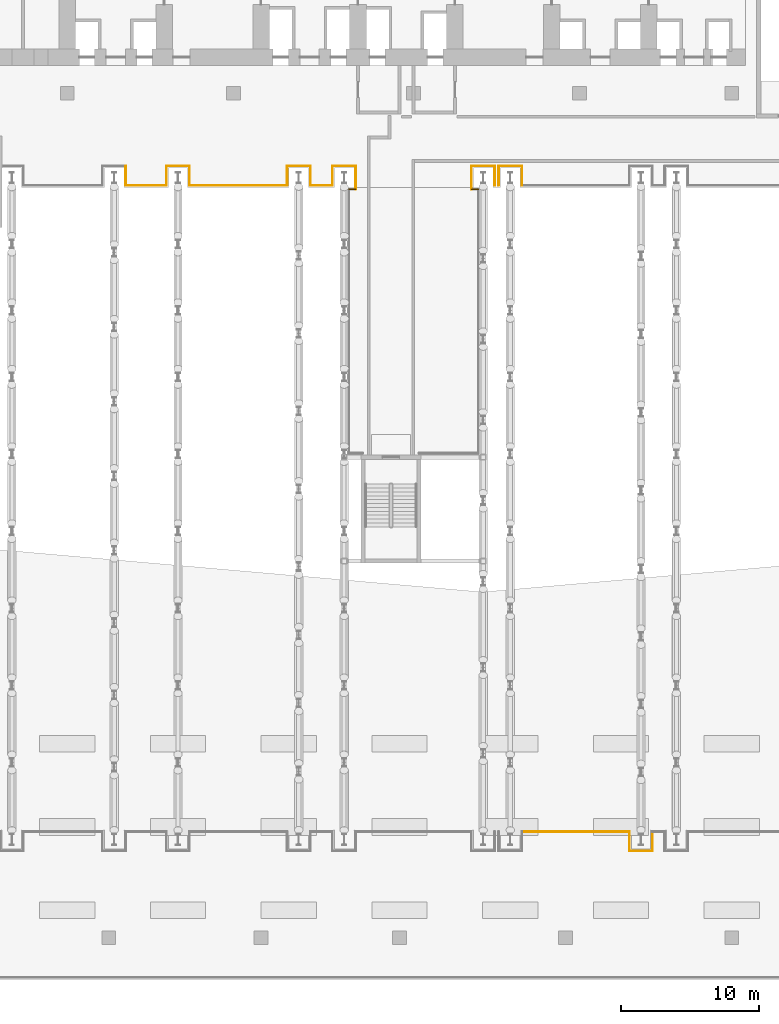
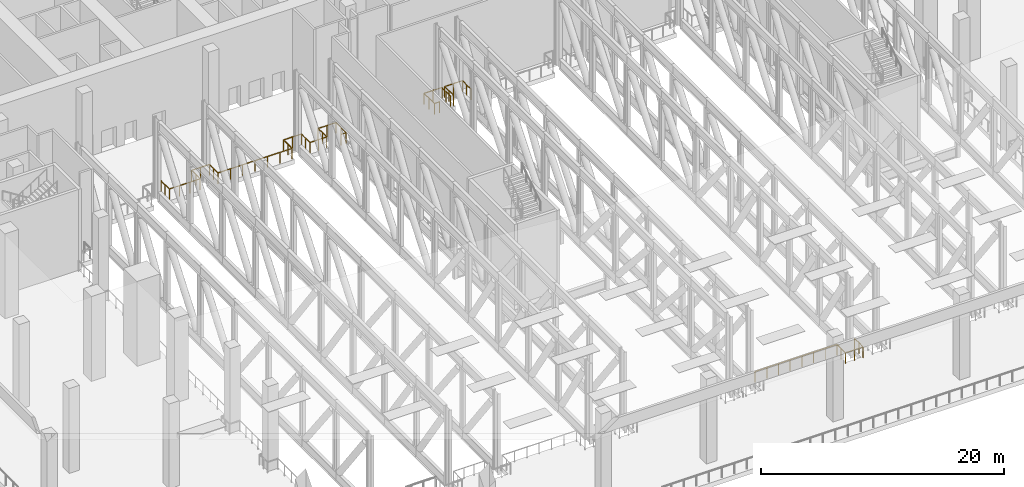
# One storey, part 25 of 33: 25 railings.
"""IFC4 building model written with IfcOpenShell, lengths in metres."""

import ifcopenshell
import ifcopenshell.guid

model = None  # the IFC model being written
_history = None  # IfcOwnerHistory: only IFC2X3 demands one
_inside = {}  # id of a spatial element -> (the spatial element, [elements in it])
_under = {}  # id of a project, library or spatial element -> (it, [spatial elements below it])
_declared = {}  # id of a project -> (the project, [libraries it declares])
_typed = {}  # id of a type object -> (the type object, [elements of that type])
_made_of = {}  # id of a material, layer set ... -> (it, [elements and type objects made of it])


def new_model(schema):
    """Start an empty IFC model of exactly this schema.

    Asked for "IFC4X3", IfcOpenShell would pick the latest addendum, in which some entities
    have other attributes; the version numbers below select the first issue.
    IFC2X3 requires an IfcOwnerHistory on every rooted entity: one is made here for all.
    """
    global model, _history
    if schema == "IFC4X3":
        model = ifcopenshell.file(schema_version=(4, 3, 0, 0))
    else:
        model = ifcopenshell.file(schema=schema)
    _inside.clear()
    _under.clear()
    _declared.clear()
    _typed.clear()
    _made_of.clear()
    _history = None
    if model.schema == "IFC2X3":
        org = make("IfcOrganization", Name="unknown")
        user = make(
            "IfcPersonAndOrganization",
            ThePerson=make("IfcPerson", FamilyName="unknown"),
            TheOrganization=org,
        )
        app = make(
            "IfcApplication",
            ApplicationDeveloper=org,
            Version="unknown",
            ApplicationFullName="unknown",
            ApplicationIdentifier="unknown",
        )
        _history = make(
            "IfcOwnerHistory",
            OwningUser=user,
            OwningApplication=app,
            ChangeAction="ADDED",
            CreationDate=0,
        )
    return model


def make(cls, **values):
    """One entity of the class cls with the attributes given. An attribute that is None is left unset."""
    return model.create_entity(
        cls, **{name: value for name, value in values.items() if value is not None}
    )


def rooted(cls, **values):
    """An entity with a GlobalId (a new one), such as an element, a storey or a relation."""
    return make(cls, GlobalId=ifcopenshell.guid.new(), OwnerHistory=_history, **values)


def si_unit(unit_type, name, prefix=None):
    """IfcSIUnit, for example si_unit("LENGTHUNIT", "METRE", prefix="MILLI")."""
    return make("IfcSIUnit", UnitType=unit_type, Prefix=prefix, Name=name)


def assignment(units):
    """IfcUnitAssignment: the units of a project."""
    return None if units is None else make("IfcUnitAssignment", Units=units)


def point(xyz):
    """IfcCartesianPoint."""
    return None if xyz is None else make("IfcCartesianPoint", Coordinates=xyz)


def direction(xyz):
    """IfcDirection."""
    return None if xyz is None else make("IfcDirection", DirectionRatios=xyz)


def frame(location, z_axis=None, x_axis=None):
    """IfcAxis2Placement3D, a coordinate frame: its origin and axes. An axis left out is left unset."""
    return make(
        "IfcAxis2Placement3D",
        Location=point(location),
        Axis=direction(z_axis),
        RefDirection=direction(x_axis),
    )


def frame_2d(location, x_axis=None):
    """IfcAxis2Placement2D, a coordinate frame in the plane: its origin and x axis."""
    return make(
        "IfcAxis2Placement2D", Location=point(location), RefDirection=direction(x_axis)
    )


def origin():
    """The frame at (0, 0, 0) with its axes left unset."""
    return frame((0.0, 0.0, 0.0))


def origin_2d():
    """The frame at (0, 0) in the plane with its x axis left unset."""
    return frame_2d((0.0, 0.0))


def place(relative_to, where):
    """IfcLocalPlacement: puts the frame where relative to a parent placement (None: the world)."""
    return make(
        "IfcLocalPlacement", PlacementRelTo=relative_to, RelativePlacement=where
    )


def context(
    kind, dimensions, precision=None, world=None, true_north=None, identifier=None
):
    """IfcGeometricRepresentationContext, for example the 3D "Model" context."""
    return make(
        "IfcGeometricRepresentationContext",
        ContextIdentifier=identifier,
        ContextType=kind,
        CoordinateSpaceDimension=dimensions,
        Precision=precision,
        WorldCoordinateSystem=world,
        TrueNorth=true_north,
    )


def subcontext(parent, identifier, kind, view, scale=None):
    """IfcGeometricRepresentationSubContext, for example "Body" below "Model"."""
    return make(
        "IfcGeometricRepresentationSubContext",
        ContextIdentifier=identifier,
        ContextType=kind,
        ParentContext=parent,
        TargetScale=scale,
        TargetView=view,
    )


def project(units=None, contexts=None):
    """IfcProject with its units and contexts."""
    return rooted(
        "IfcProject",
        Name="project",
        RepresentationContexts=contexts,
        UnitsInContext=assignment(units),
    )


def spatial(cls, under=None, at=None, **own):
    """A site, building, storey or space (cls), placed at a placement, below another one or the project."""
    s = rooted(cls, ObjectPlacement=at, **own)
    if under is not None:
        _under.setdefault(under.id(), (under, []))[1].append(s)
    return s


def profile(cls, at=None, kind="AREA", **sizes):
    """A parametric profile (cls). Its sizes go by their IFC names, for example OverallWidth=200.0."""
    return make(cls, ProfileType=kind, Position=at, **sizes)


def circle(**sizes):
    """IfcCircleProfileDef."""
    return profile("IfcCircleProfileDef", **sizes)


def extrude(swept, where, along, depth):
    """IfcExtrudedAreaSolid: the profile swept, set in the frame where, extruded along a direction by depth."""
    return make(
        "IfcExtrudedAreaSolid",
        SweptArea=swept,
        Position=where,
        ExtrudedDirection=direction(along),
        Depth=depth,
    )


def shape(context_of_items, identifier, shape_type, items):
    """IfcShapeRepresentation: the items that make up one representation, for example the "Body"."""
    return make(
        "IfcShapeRepresentation",
        ContextOfItems=context_of_items,
        RepresentationIdentifier=identifier,
        RepresentationType=shape_type,
        Items=items,
    )


def material(Name=None, Category=None):
    """IfcMaterial."""
    return make("IfcMaterial", Name=Name, Category=Category)


def made_of(thing, what):
    """Note that an element or type object is made of a material, layer set ...; save() writes the relation."""
    if what is not None:
        _made_of.setdefault(what.id(), (what, []))[1].append(thing)
    return thing


def type_object(cls, material=None, **own):
    """A type object (cls), such as IfcWallType, which elements share."""
    return made_of(rooted(cls, **own), material)


def element(
    cls,
    number,
    at=None,
    inside=None,
    cuts=None,
    type_object=None,
    material=None,
    context=None,
    identifier="Body",
    shape_type=None,
    held_by="IfcProductDefinitionShape",
    body=None,
    shapes=None,
    **own,
):
    """One element of the class cls, such as IfcWall. Its Tag is "e" and its number.

    at: its placement. inside: the storey or other place that contains it. cuts: it is an
    opening in that element (IfcRelVoidsElement). A single representation is given by context,
    identifier, shape_type and body (its items); several are given by shapes. held_by: the class
    of the entity that holds the representations. save() writes the other relations.
    """
    e = rooted(cls, Tag="e%d" % number, ObjectPlacement=at, **own)
    if body is not None:
        shapes = [shape(context, identifier, shape_type, body)]
    if shapes is not None:
        e.Representation = make(held_by, Representations=shapes)
    if inside is not None:
        _inside.setdefault(inside.id(), (inside, []))[1].append(e)
    if cuts is not None:
        rooted(
            "IfcRelVoidsElement", RelatingBuildingElement=cuts, RelatedOpeningElement=e
        )
    if type_object is not None:
        _typed.setdefault(type_object.id(), (type_object, []))[1].append(e)
    return made_of(e, material)


def aggregate(whole, parts):
    """IfcRelAggregates: a whole, such as a stair, and the parts it consists of."""
    return rooted("IfcRelAggregates", RelatingObject=whole, RelatedObjects=parts)


def save(model, path):
    """Write the relations noted so far, then the file.

    IfcRelAggregates (storeys below a building ...), IfcRelContainedInSpatialStructure (elements
    in a storey), IfcRelDefinesByType, IfcRelAssociatesMaterial and IfcRelDeclares: one each for
    every whole, place, type object, material and project.
    """
    for whole, parts in _under.values():
        aggregate(whole, parts)
    for where, things in _inside.values():
        rooted(
            "IfcRelContainedInSpatialStructure",
            RelatedElements=things,
            RelatingStructure=where,
        )
    for kind, things in _typed.values():
        rooted("IfcRelDefinesByType", RelatedObjects=things, RelatingType=kind)
    for what, things in _made_of.values():
        rooted("IfcRelAssociatesMaterial", RelatedObjects=things, RelatingMaterial=what)
    for by, libraries in _declared.values():
        rooted("IfcRelDeclares", RelatingContext=by, RelatedDefinitions=libraries)
    model.write(path)


model = new_model("IFC4")

# Units and contexts
model_context = context("Model", 3, precision=1e-05, world=origin(), true_north=direction((0.0, 1.0)))
body_context = subcontext(model_context, "Body", "Model", "MODEL_VIEW")
ifc_project = project(units=[si_unit("LENGTHUNIT", "METRE"), si_unit("AREAUNIT", "SQUARE_METRE"), si_unit("VOLUMEUNIT", "CUBIC_METRE"), si_unit("PLANEANGLEUNIT", "RADIAN"), si_unit("MASSUNIT", "GRAM", prefix="KILO")], contexts=[model_context])

# Site, building, storey
site_placement = place(None, origin())
site = spatial("IfcSite", under=ifc_project, at=site_placement, CompositionType="ELEMENT")
building_placement = place(site_placement, origin())
building = spatial("IfcBuilding", under=site, at=building_placement, Name="Wharfspan Tower", CompositionType="ELEMENT")
storey_placement = place(building_placement, frame((0.0, 0.0, 33.0)))
storey = spatial("IfcBuildingStorey", under=building, at=storey_placement, Name="L05", CompositionType="ELEMENT", Elevation=33.0)

# Railings
ifc_material = material(Name="Steel S355J2", Category="steel")
railing_type = type_object("IfcRailingType", Name="GUARD 1100 STEEL AND GLASS", PredefinedType="GUARDRAIL", material=ifc_material)
railing_1_placement = place(storey_placement, frame((48.840088, -21.340088, 0.0)))
element("IfcRailing", 1, at=railing_1_placement, inside=storey, type_object=railing_type, Name="Guard on the deck edge", PredefinedType="GUARDRAIL", context=body_context, shape_type="SweptSolid", body=[
    extrude(circle(Radius=0.024902, at=origin_2d()), frame((0.0, 0.0, 1.075195), z_axis=(1.0, 0.0, 0.0), x_axis=(0.0, 1.0, 0.0)), (0.0, 0.0, 1.0), 7.761963),
    extrude(circle(Radius=0.02002, at=origin_2d()), origin(), (0.0, 0.0, 1.0), 1.050049),
    extrude(circle(Radius=0.02002, at=origin_2d()), frame((1.108887, 0.0, 0.0)), (0.0, 0.0, 1.0), 1.050049),
    extrude(circle(Radius=0.02002, at=origin_2d()), frame((2.217773, 0.0, 0.0)), (0.0, 0.0, 1.0), 1.050049),
    extrude(circle(Radius=0.02002, at=origin_2d()), frame((3.32666, 0.0, 0.0)), (0.0, 0.0, 1.0), 1.050049),
    extrude(circle(Radius=0.02002, at=origin_2d()), frame((4.435303, 0.0, 0.0)), (0.0, 0.0, 1.0), 1.050049),
    extrude(circle(Radius=0.02002, at=origin_2d()), frame((5.544189, 0.0, 0.0)), (0.0, 0.0, 1.0), 1.050049),
    extrude(circle(Radius=0.02002, at=origin_2d()), frame((6.653076, 0.0, 0.0)), (0.0, 0.0, 1.0), 1.050049),
    extrude(circle(Radius=0.02002, at=origin_2d()), frame((7.761963, 0.0, 0.0)), (0.0, 0.0, 1.0), 1.050049),
])
railing_2_placement = place(storey_placement, frame((56.602051, -21.340088, 0.0)))
element("IfcRailing", 2, at=railing_2_placement, inside=storey, type_object=railing_type, Name="Guard on the deck edge", PredefinedType="GUARDRAIL", context=body_context, shape_type="SweptSolid", body=[
    extrude(circle(Radius=0.024902, at=origin_2d()), frame((0.0, 0.0, 1.075195), z_axis=(0.0, -1.0, 0.0), x_axis=(1.0, 0.0, 0.0)), (0.0, 0.0, 1.0), 1.399902),
    extrude(circle(Radius=0.02002, at=origin_2d()), origin(), (0.0, 0.0, 1.0), 1.050049),
    extrude(circle(Radius=0.02002, at=origin_2d()), frame((0.0, -0.699951, 0.0)), (0.0, 0.0, 1.0), 1.050049),
    extrude(circle(Radius=0.02002, at=origin_2d()), frame((0.0, -1.399902, 0.0)), (0.0, 0.0, 1.0), 1.050049),
])
railing_3_placement = place(storey_placement, frame((56.602051, -22.73999, 0.0)))
element("IfcRailing", 3, at=railing_3_placement, inside=storey, type_object=railing_type, Name="Guard on the deck edge", PredefinedType="GUARDRAIL", context=body_context, shape_type="SweptSolid", body=[
    extrude(circle(Radius=0.024902, at=origin_2d()), frame((0.0, 0.0, 1.075195), z_axis=(1.0, 0.0, 0.0), x_axis=(0.0, 1.0, 0.0)), (0.0, 0.0, 1.0), 1.679932),
    extrude(circle(Radius=0.02002, at=origin_2d()), origin(), (0.0, 0.0, 1.0), 1.050049),
    extrude(circle(Radius=0.02002, at=origin_2d()), frame((0.839844, 0.0, 0.0)), (0.0, 0.0, 1.0), 1.050049),
    extrude(circle(Radius=0.02002, at=origin_2d()), frame((1.679932, 0.0, 0.0)), (0.0, 0.0, 1.0), 1.050049),
])
for number, where, name in (
    (4, (58.281982, -22.73999, 0.0), "Guard on the deck edge"),
    (5, (48.840088, 25.340088, 0.0), "Guard on the deck edge"),
):
    element("IfcRailing", number, at=place(storey_placement, frame(where)), inside=storey, type_object=railing_type, Name=name, PredefinedType="GUARDRAIL", context=body_context, shape_type="SweptSolid", body=[
        extrude(circle(Radius=0.024902, at=origin_2d()), frame((0.0, 0.0, 1.075195), z_axis=(0.0, 1.0, 0.0), x_axis=(-1.0, 0.0, 0.0)), (0.0, 0.0, 1.0), 1.399902),
        extrude(circle(Radius=0.02002, at=origin_2d()), origin(), (0.0, 0.0, 1.0), 1.050049),
        extrude(circle(Radius=0.02002, at=origin_2d()), frame((0.0, 0.699951, 0.0)), (0.0, 0.0, 1.0), 1.050049),
        extrude(circle(Radius=0.02002, at=origin_2d()), frame((0.0, 1.399902, 0.0)), (0.0, 0.0, 1.0), 1.050049),
    ])
railing_4_placement = place(storey_placement, frame((48.840088, 26.73999, 0.0)))
element("IfcRailing", 6, at=railing_4_placement, inside=storey, type_object=railing_type, Name="Guard on the deck edge", PredefinedType="GUARDRAIL", context=body_context, shape_type="SweptSolid", body=[
    extrude(circle(Radius=0.024902, at=origin_2d()), frame((0.0, 0.0, 1.075195), z_axis=(-1.0, 0.0, 0.0), x_axis=(0.0, -1.0, 0.0)), (0.0, 0.0, 1.0), 1.680176),
    extrude(circle(Radius=0.02002, at=origin_2d()), origin(), (0.0, 0.0, 1.0), 1.050049),
    extrude(circle(Radius=0.02002, at=origin_2d()), frame((-0.840088, 0.0, 0.0)), (0.0, 0.0, 1.0), 1.050049),
    extrude(circle(Radius=0.02002, at=origin_2d()), frame((-1.680176, 0.0, 0.0)), (0.0, 0.0, 1.0), 1.050049),
])
railing_5_placement = place(storey_placement, frame((47.159912, 26.73999, 0.0)))
element("IfcRailing", 7, at=railing_5_placement, inside=storey, type_object=railing_type, Name="Guard on the deck edge", PredefinedType="GUARDRAIL", context=body_context, shape_type="SweptSolid", body=[
    extrude(circle(Radius=0.024902, at=origin_2d()), frame((0.0, 0.0, 1.075195), z_axis=(0.0, -1.0, 0.0), x_axis=(1.0, 0.0, 0.0)), (0.0, 0.0, 1.0), 1.399902),
    extrude(circle(Radius=0.02002, at=origin_2d()), origin(), (0.0, 0.0, 1.0), 1.050049),
    extrude(circle(Radius=0.02002, at=origin_2d()), frame((0.0, -0.699951, 0.0)), (0.0, 0.0, 1.0), 1.050049),
    extrude(circle(Radius=0.02002, at=origin_2d()), frame((0.0, -1.399902, 0.0)), (0.0, 0.0, 1.0), 1.050049),
])
railing_6_placement = place(storey_placement, frame((46.88208, 25.340088, 0.0)))
element("IfcRailing", 8, at=railing_6_placement, inside=storey, type_object=railing_type, Name="Guard on the deck edge", PredefinedType="GUARDRAIL", context=body_context, shape_type="SweptSolid", body=[
    extrude(circle(Radius=0.024902, at=origin_2d()), frame((0.0, 0.0, 1.075195), z_axis=(0.0, 1.0, 0.0), x_axis=(-1.0, 0.0, 0.0)), (0.0, 0.0, 1.0), 1.399902),
    extrude(circle(Radius=0.02002, at=origin_2d()), origin(), (0.0, 0.0, 1.0), 1.050049),
    extrude(circle(Radius=0.02002, at=origin_2d()), frame((0.0, 0.699951, 0.0)), (0.0, 0.0, 1.0), 1.050049),
    extrude(circle(Radius=0.02002, at=origin_2d()), frame((0.0, 1.399902, 0.0)), (0.0, 0.0, 1.0), 1.050049),
])
railing_7_placement = place(storey_placement, frame((46.88208, 26.73999, 0.0)))
element("IfcRailing", 9, at=railing_7_placement, inside=storey, type_object=railing_type, Name="Guard on the deck edge", PredefinedType="GUARDRAIL", context=body_context, shape_type="SweptSolid", body=[
    extrude(circle(Radius=0.024902, at=origin_2d()), frame((0.0, 0.0, 1.075195), z_axis=(-1.0, 0.0, 0.0), x_axis=(0.0, -1.0, 0.0)), (0.0, 0.0, 1.0), 1.680176),
    extrude(circle(Radius=0.02002, at=origin_2d()), origin(), (0.0, 0.0, 1.0), 1.050049),
    extrude(circle(Radius=0.02002, at=origin_2d()), frame((-0.840088, 0.0, 0.0)), (0.0, 0.0, 1.0), 1.050049),
    extrude(circle(Radius=0.02002, at=origin_2d()), frame((-1.680176, 0.0, 0.0)), (0.0, 0.0, 1.0), 1.050049),
])
railing_8_placement = place(storey_placement, frame((45.201904, 26.73999, 0.0)))
element("IfcRailing", 10, at=railing_8_placement, inside=storey, type_object=railing_type, Name="Guard on the deck edge", PredefinedType="GUARDRAIL", context=body_context, shape_type="SweptSolid", body=[
    extrude(circle(Radius=0.024902, at=origin_2d()), frame((0.0, 0.0, 1.075195), z_axis=(0.0, -1.0, 0.0), x_axis=(1.0, 0.0, 0.0)), (0.0, 0.0, 1.0), 1.679932),
    extrude(circle(Radius=0.02002, at=origin_2d()), origin(), (0.0, 0.0, 1.0), 1.050049),
    extrude(circle(Radius=0.02002, at=origin_2d()), frame((0.0, -0.839844, 0.0)), (0.0, 0.0, 1.0), 1.050049),
    extrude(circle(Radius=0.02002, at=origin_2d()), frame((0.0, -1.679932, 0.0)), (0.0, 0.0, 1.0), 1.050049),
])
for number, where, name in (
    (11, (45.201904, 25.060059, 0.0), "Guard on the deck edge"),
    (12, (36.340088, 25.060059, 0.0), "Guard on the deck edge"),
):
    element("IfcRailing", number, at=place(storey_placement, frame(where)), inside=storey, type_object=railing_type, Name=name, PredefinedType="GUARDRAIL", context=body_context, shape_type="SweptSolid", body=[
        extrude(circle(Radius=0.024902, at=origin_2d()), frame((0.0, 0.0, 1.075195), z_axis=(1.0, 0.0, 0.0), x_axis=(0.0, 1.0, 0.0)), (0.0, 0.0, 1.0), 0.5),
        extrude(circle(Radius=0.02002, at=origin_2d()), origin(), (0.0, 0.0, 1.0), 1.050049),
        extrude(circle(Radius=0.02002, at=origin_2d()), frame((0.5, 0.0, 0.0)), (0.0, 0.0, 1.0), 1.050049),
    ])
railing_9_placement = place(storey_placement, frame((36.840088, 25.060059, 0.0)))
element("IfcRailing", 13, at=railing_9_placement, inside=storey, type_object=railing_type, Name="Guard on the deck edge", PredefinedType="GUARDRAIL", context=body_context, shape_type="SweptSolid", body=[
    extrude(circle(Radius=0.024902, at=origin_2d()), frame((0.0, 0.0, 1.075195), z_axis=(0.0, 1.0, 0.0), x_axis=(-1.0, 0.0, 0.0)), (0.0, 0.0, 1.0), 1.679932),
    extrude(circle(Radius=0.02002, at=origin_2d()), origin(), (0.0, 0.0, 1.0), 1.050049),
    extrude(circle(Radius=0.02002, at=origin_2d()), frame((0.0, 0.839844, 0.0)), (0.0, 0.0, 1.0), 1.050049),
    extrude(circle(Radius=0.02002, at=origin_2d()), frame((0.0, 1.679932, 0.0)), (0.0, 0.0, 1.0), 1.050049),
])
railing_10_placement = place(storey_placement, frame((36.840088, 26.73999, 0.0)))
element("IfcRailing", 14, at=railing_10_placement, inside=storey, type_object=railing_type, Name="Guard on the deck edge", PredefinedType="GUARDRAIL", context=body_context, shape_type="SweptSolid", body=[
    extrude(circle(Radius=0.024902, at=origin_2d()), frame((0.0, 0.0, 1.075195), z_axis=(-1.0, 0.0, 0.0), x_axis=(0.0, -1.0, 0.0)), (0.0, 0.0, 1.0), 1.680176),
    extrude(circle(Radius=0.02002, at=origin_2d()), origin(), (0.0, 0.0, 1.0), 1.050049),
    extrude(circle(Radius=0.02002, at=origin_2d()), frame((-0.840088, 0.0, 0.0)), (0.0, 0.0, 1.0), 1.050049),
    extrude(circle(Radius=0.02002, at=origin_2d()), frame((-1.680176, 0.0, 0.0)), (0.0, 0.0, 1.0), 1.050049),
])
railing_11_placement = place(storey_placement, frame((35.159912, 26.73999, 0.0)))
element("IfcRailing", 15, at=railing_11_placement, inside=storey, type_object=railing_type, Name="Guard on the deck edge", PredefinedType="GUARDRAIL", context=body_context, shape_type="SweptSolid", body=[
    extrude(circle(Radius=0.024902, at=origin_2d()), frame((0.0, 0.0, 1.075195), z_axis=(0.0, -1.0, 0.0), x_axis=(1.0, 0.0, 0.0)), (0.0, 0.0, 1.0), 1.399902),
    extrude(circle(Radius=0.02002, at=origin_2d()), origin(), (0.0, 0.0, 1.0), 1.050049),
    extrude(circle(Radius=0.02002, at=origin_2d()), frame((0.0, -0.699951, 0.0)), (0.0, 0.0, 1.0), 1.050049),
    extrude(circle(Radius=0.02002, at=origin_2d()), frame((0.0, -1.399902, 0.0)), (0.0, 0.0, 1.0), 1.050049),
])
railing_12_placement = place(storey_placement, frame((35.159912, 25.340088, 0.0)))
element("IfcRailing", 16, at=railing_12_placement, inside=storey, type_object=railing_type, Name="Guard on the deck edge", PredefinedType="GUARDRAIL", context=body_context, shape_type="SweptSolid", body=[
    extrude(circle(Radius=0.024902, at=origin_2d()), frame((0.0, 0.0, 1.075195), z_axis=(-1.0, 0.0, 0.0), x_axis=(0.0, -1.0, 0.0)), (0.0, 0.0, 1.0), 1.595947),
    extrude(circle(Radius=0.02002, at=origin_2d()), origin(), (0.0, 0.0, 1.0), 1.050049),
    extrude(circle(Radius=0.02002, at=origin_2d()), frame((-0.797852, 0.0, 0.0)), (0.0, 0.0, 1.0), 1.050049),
    extrude(circle(Radius=0.02002, at=origin_2d()), frame((-1.595947, 0.0, 0.0)), (0.0, 0.0, 1.0), 1.050049),
])
railing_13_placement = place(storey_placement, frame((33.563965, 25.340088, 0.0)))
element("IfcRailing", 17, at=railing_13_placement, inside=storey, type_object=railing_type, Name="Guard on the deck edge", PredefinedType="GUARDRAIL", context=body_context, shape_type="SweptSolid", body=[
    extrude(circle(Radius=0.024902, at=origin_2d()), frame((0.0, 0.0, 1.075195), z_axis=(0.0, 1.0, 0.0), x_axis=(-1.0, 0.0, 0.0)), (0.0, 0.0, 1.0), 1.399902),
    extrude(circle(Radius=0.02002, at=origin_2d()), origin(), (0.0, 0.0, 1.0), 1.050049),
    extrude(circle(Radius=0.02002, at=origin_2d()), frame((0.0, 0.699951, 0.0)), (0.0, 0.0, 1.0), 1.050049),
    extrude(circle(Radius=0.02002, at=origin_2d()), frame((0.0, 1.399902, 0.0)), (0.0, 0.0, 1.0), 1.050049),
])
railing_14_placement = place(storey_placement, frame((33.563965, 26.73999, 0.0)))
element("IfcRailing", 18, at=railing_14_placement, inside=storey, type_object=railing_type, Name="Guard on the deck edge", PredefinedType="GUARDRAIL", context=body_context, shape_type="SweptSolid", body=[
    extrude(circle(Radius=0.024902, at=origin_2d()), frame((0.0, 0.0, 1.075195), z_axis=(-1.0, 0.0, 0.0), x_axis=(0.0, -1.0, 0.0)), (0.0, 0.0, 1.0), 1.679932),
    extrude(circle(Radius=0.02002, at=origin_2d()), origin(), (0.0, 0.0, 1.0), 1.050049),
    extrude(circle(Radius=0.02002, at=origin_2d()), frame((-0.839844, 0.0, 0.0)), (0.0, 0.0, 1.0), 1.050049),
    extrude(circle(Radius=0.02002, at=origin_2d()), frame((-1.679932, 0.0, 0.0)), (0.0, 0.0, 1.0), 1.050049),
])
railing_15_placement = place(storey_placement, frame((31.884033, 26.73999, 0.0)))
element("IfcRailing", 19, at=railing_15_placement, inside=storey, type_object=railing_type, Name="Guard on the deck edge", PredefinedType="GUARDRAIL", context=body_context, shape_type="SweptSolid", body=[
    extrude(circle(Radius=0.024902, at=origin_2d()), frame((0.0, 0.0, 1.075195), z_axis=(0.0, -1.0, 0.0), x_axis=(1.0, 0.0, 0.0)), (0.0, 0.0, 1.0), 1.399902),
    extrude(circle(Radius=0.02002, at=origin_2d()), origin(), (0.0, 0.0, 1.0), 1.050049),
    extrude(circle(Radius=0.02002, at=origin_2d()), frame((0.0, -0.699951, 0.0)), (0.0, 0.0, 1.0), 1.050049),
    extrude(circle(Radius=0.02002, at=origin_2d()), frame((0.0, -1.399902, 0.0)), (0.0, 0.0, 1.0), 1.050049),
])
railing_16_placement = place(storey_placement, frame((31.884033, 25.340088, 0.0)))
element("IfcRailing", 20, at=railing_16_placement, inside=storey, type_object=railing_type, Name="Guard on the deck edge", PredefinedType="GUARDRAIL", context=body_context, shape_type="SweptSolid", body=[
    extrude(circle(Radius=0.024902, at=origin_2d()), frame((0.0, 0.0, 1.075195), z_axis=(-1.0, 0.0, 0.0), x_axis=(0.0, -1.0, 0.0)), (0.0, 0.0, 1.0), 7.043945),
    extrude(circle(Radius=0.02002, at=origin_2d()), origin(), (0.0, 0.0, 1.0), 1.050049),
    extrude(circle(Radius=0.02002, at=origin_2d()), frame((-1.174072, 0.0, 0.0)), (0.0, 0.0, 1.0), 1.050049),
    extrude(circle(Radius=0.02002, at=origin_2d()), frame((-2.3479, 0.0, 0.0)), (0.0, 0.0, 1.0), 1.050049),
    extrude(circle(Radius=0.02002, at=origin_2d()), frame((-3.521973, 0.0, 0.0)), (0.0, 0.0, 1.0), 1.050049),
    extrude(circle(Radius=0.02002, at=origin_2d()), frame((-4.696045, 0.0, 0.0)), (0.0, 0.0, 1.0), 1.050049),
    extrude(circle(Radius=0.02002, at=origin_2d()), frame((-5.869873, 0.0, 0.0)), (0.0, 0.0, 1.0), 1.050049),
    extrude(circle(Radius=0.02002, at=origin_2d()), frame((-7.043945, 0.0, 0.0)), (0.0, 0.0, 1.0), 1.050049),
])
railing_17_placement = place(storey_placement, frame((24.840088, 25.340088, 0.0)))
element("IfcRailing", 21, at=railing_17_placement, inside=storey, type_object=railing_type, Name="Guard on the deck edge", PredefinedType="GUARDRAIL", context=body_context, shape_type="SweptSolid", body=[
    extrude(circle(Radius=0.024902, at=origin_2d()), frame((0.0, 0.0, 1.075195), z_axis=(0.0, 1.0, 0.0), x_axis=(-1.0, 0.0, 0.0)), (0.0, 0.0, 1.0), 1.399902),
    extrude(circle(Radius=0.02002, at=origin_2d()), origin(), (0.0, 0.0, 1.0), 1.050049),
    extrude(circle(Radius=0.02002, at=origin_2d()), frame((0.0, 0.699951, 0.0)), (0.0, 0.0, 1.0), 1.050049),
    extrude(circle(Radius=0.02002, at=origin_2d()), frame((0.0, 1.399902, 0.0)), (0.0, 0.0, 1.0), 1.050049),
])
railing_18_placement = place(storey_placement, frame((24.840088, 26.73999, 0.0)))
element("IfcRailing", 22, at=railing_18_placement, inside=storey, type_object=railing_type, Name="Guard on the deck edge", PredefinedType="GUARDRAIL", context=body_context, shape_type="SweptSolid", body=[
    extrude(circle(Radius=0.024902, at=origin_2d()), frame((0.0, 0.0, 1.075195), z_axis=(-1.0, 0.0, 0.0), x_axis=(0.0, -1.0, 0.0)), (0.0, 0.0, 1.0), 1.680176),
    extrude(circle(Radius=0.02002, at=origin_2d()), origin(), (0.0, 0.0, 1.0), 1.050049),
    extrude(circle(Radius=0.02002, at=origin_2d()), frame((-0.840088, 0.0, 0.0)), (0.0, 0.0, 1.0), 1.050049),
    extrude(circle(Radius=0.02002, at=origin_2d()), frame((-1.680176, 0.0, 0.0)), (0.0, 0.0, 1.0), 1.050049),
])
railing_19_placement = place(storey_placement, frame((23.159912, 26.73999, 0.0)))
element("IfcRailing", 23, at=railing_19_placement, inside=storey, type_object=railing_type, Name="Guard on the deck edge", PredefinedType="GUARDRAIL", context=body_context, shape_type="SweptSolid", body=[
    extrude(circle(Radius=0.024902, at=origin_2d()), frame((0.0, 0.0, 1.075195), z_axis=(0.0, -1.0, 0.0), x_axis=(1.0, 0.0, 0.0)), (0.0, 0.0, 1.0), 1.399902),
    extrude(circle(Radius=0.02002, at=origin_2d()), origin(), (0.0, 0.0, 1.0), 1.050049),
    extrude(circle(Radius=0.02002, at=origin_2d()), frame((0.0, -0.699951, 0.0)), (0.0, 0.0, 1.0), 1.050049),
    extrude(circle(Radius=0.02002, at=origin_2d()), frame((0.0, -1.399902, 0.0)), (0.0, 0.0, 1.0), 1.050049),
])
railing_20_placement = place(storey_placement, frame((23.159912, 25.340088, 0.0)))
element("IfcRailing", 24, at=railing_20_placement, inside=storey, type_object=railing_type, Name="Guard on the deck edge", PredefinedType="GUARDRAIL", context=body_context, shape_type="SweptSolid", body=[
    extrude(circle(Radius=0.024902, at=origin_2d()), frame((0.0, 0.0, 1.075195), z_axis=(-1.0, 0.0, 0.0), x_axis=(0.0, -1.0, 0.0)), (0.0, 0.0, 1.0), 2.928955),
    extrude(circle(Radius=0.02002, at=origin_2d()), origin(), (0.0, 0.0, 1.0), 1.050049),
    extrude(circle(Radius=0.02002, at=origin_2d()), frame((-0.976318, 0.0, 0.0)), (0.0, 0.0, 1.0), 1.050049),
    extrude(circle(Radius=0.02002, at=origin_2d()), frame((-1.952637, 0.0, 0.0)), (0.0, 0.0, 1.0), 1.050049),
    extrude(circle(Radius=0.02002, at=origin_2d()), frame((-2.928955, 0.0, 0.0)), (0.0, 0.0, 1.0), 1.050049),
])
railing_21_placement = place(storey_placement, frame((20.230957, 25.340088, 0.0)))
element("IfcRailing", 25, at=railing_21_placement, inside=storey, type_object=railing_type, Name="Guard on the deck edge", PredefinedType="GUARDRAIL", context=body_context, shape_type="SweptSolid", body=[
    extrude(circle(Radius=0.024902, at=origin_2d()), frame((0.0, 0.0, 1.075195), z_axis=(0.0, 1.0, 0.0), x_axis=(-1.0, 0.0, 0.0)), (0.0, 0.0, 1.0), 1.399902),
    extrude(circle(Radius=0.02002, at=origin_2d()), origin(), (0.0, 0.0, 1.0), 1.050049),
    extrude(circle(Radius=0.02002, at=origin_2d()), frame((0.0, 0.699951, 0.0)), (0.0, 0.0, 1.0), 1.050049),
    extrude(circle(Radius=0.02002, at=origin_2d()), frame((0.0, 1.399902, 0.0)), (0.0, 0.0, 1.0), 1.050049),
])

save(model, "model.ifc")
